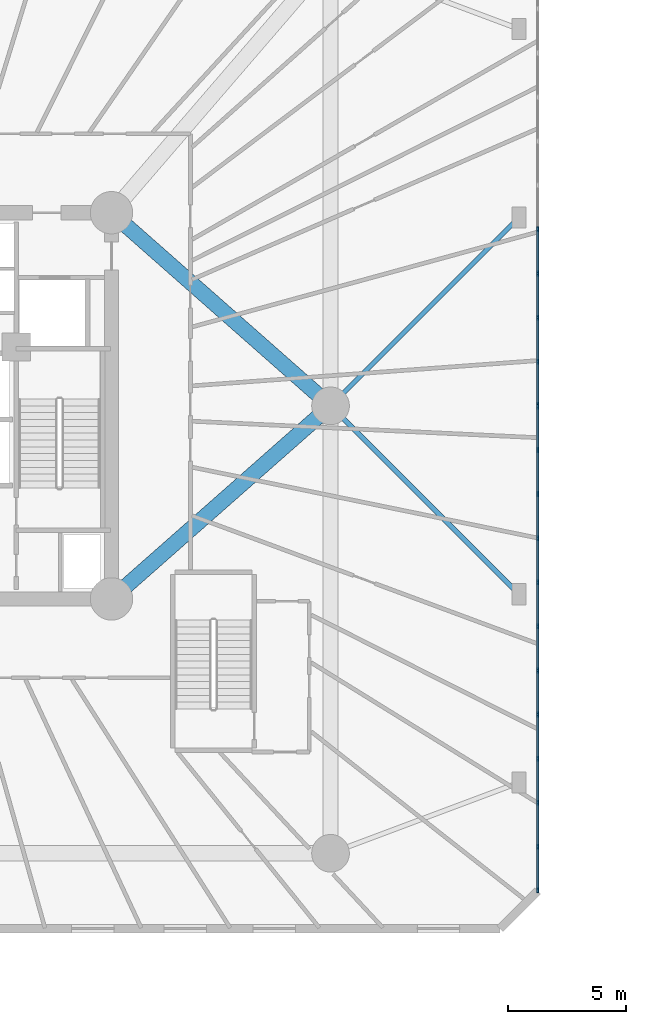
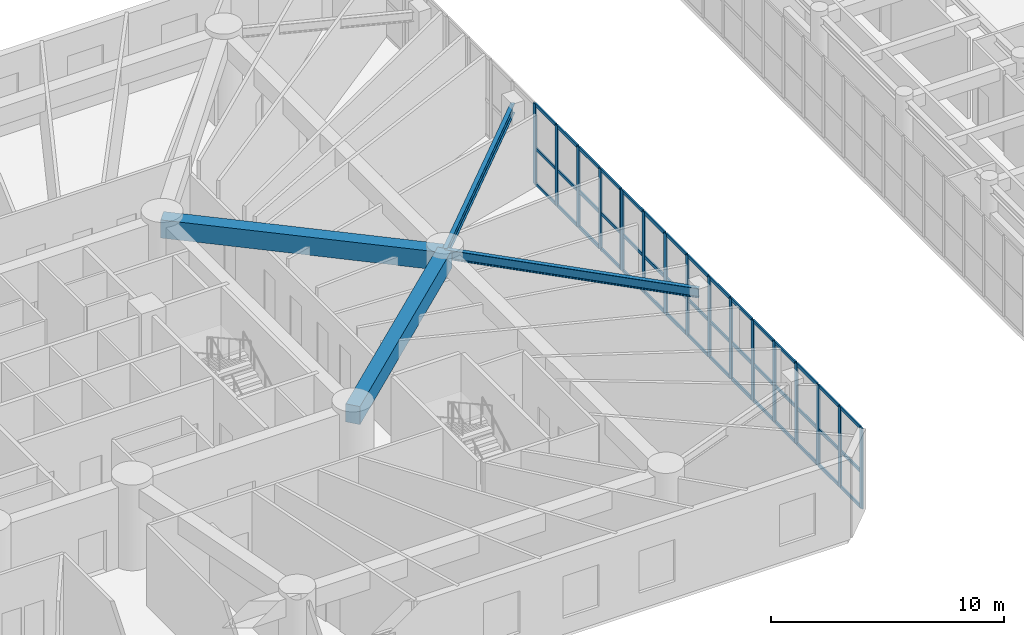
# One storey, part 2 of 24: 62 members, 4 beams, 2 elements without a shape of their own.
"""IFC4 building model written with IfcOpenShell, lengths in metres."""

from ifc_helpers import new_model, si_unit, direction, frame, origin, origin_with_axes, origin_2d, place, context, subcontext, project, spatial, rectangle, i_section, extrude, source, transform, mapped, material, layer, layer_set, material_profile, profile_set, type_object, element, aggregate, save


model = new_model("IFC4")

# Units and contexts
model_context = context("Model", 3, precision=1e-05, world=origin(), true_north=direction((0.0, 1.0)))
body_context = subcontext(model_context, "Body", "Model", "MODEL_VIEW")
ifc_project = project(units=[si_unit("LENGTHUNIT", "METRE"), si_unit("AREAUNIT", "SQUARE_METRE"), si_unit("VOLUMEUNIT", "CUBIC_METRE"), si_unit("PLANEANGLEUNIT", "RADIAN"), si_unit("MASSUNIT", "GRAM", prefix="KILO")], contexts=[model_context])

# Site, building, storey
site_placement = place(None, origin())
site = spatial("IfcSite", under=ifc_project, at=site_placement, CompositionType="ELEMENT")
building_placement = place(site_placement, origin())
building = spatial("IfcBuilding", under=site, at=building_placement, Name="Karkom Vertical University and Central Library", CompositionType="ELEMENT")
storey_placement = place(building_placement, frame((0.0, 0.0, 13.5)))
storey = spatial("IfcBuildingStorey", under=building, at=storey_placement, Name="L03", CompositionType="ELEMENT", Elevation=13.5)

# Beams
ifc_material_1 = material(Name="Concrete C50/60", Category="concrete")
ifc_material_profile_1 = material_profile(ifc_material_1, rectangle(XDim=0.64990234375, YDim=0.949951171875, at=origin_2d()), Name="RCG-650x950")
ifc_profile_set_1 = profile_set([ifc_material_profile_1], Name="Concrete C50/60")
beam_type_1 = type_object("IfcBeamType", Name="STR-BM-BG-1", PredefinedType="USERDEFINED", material=ifc_profile_set_1)
shared_shape_1 = source(origin_with_axes(), body_context, "Body", "SweptSolid", [
    extrude(rectangle(XDim=0.64990234375, YDim=0.949951171875, at=origin_2d()), origin(), (0.0, 0.0, 1.0), 12.398681640625),
])
for number, where, z_axis, x_axis, name in (
    (1, (46.800048828125, 26.5, 3.75), (-0.75007685274, -0.661350674743, 0.0), (0.661350674743, -0.75007685274, 0.0), "Level 03 Podium Primary Girder 17"),
    (2, (46.800048828125, 26.5, 3.75), (-0.75007685274, 0.661350674743, 0.0), (-0.661350674743, -0.75007685274, 0.0), "Level 03 Podium Primary Girder 18"),
):
    element("IfcBeam", number, at=place(storey_placement, frame(where, z_axis=z_axis, x_axis=x_axis)), inside=storey, type_object=beam_type_1, Name=name, ObjectType="GIRDER", PredefinedType="USERDEFINED", context=body_context, shape_type="MappedRepresentation", body=[
        mapped(shared_shape_1, transform((0.0, 0.0, 0.0), scale=1.0)),
    ])
ifc_material_2 = material(Name="Steel S355", Category="steel")
ifc_material_profile_2 = material_profile(ifc_material_2, i_section(OverallWidth=0.199951171875, OverallDepth=0.5, WebThickness=0.01025390625, FlangeThickness=0.01611328125, FilletRadius=0.02099609375, at=origin_2d()), Name="IPE 500")
ifc_profile_set_2 = profile_set([ifc_material_profile_2], Name="Steel S355")
beam_type_2 = type_object("IfcBeamType", Name="STR-BM-SB-IPE500", PredefinedType="BEAM", material=ifc_profile_set_2)
shared_shape_2 = source(origin_with_axes(), body_context, "Body", "SweptSolid", [
    extrude(i_section(OverallWidth=0.199951171875, OverallDepth=0.5, WebThickness=0.01025390625, FlangeThickness=0.01611328125, FilletRadius=0.02099609375, at=origin_2d()), origin(), (0.0, 0.0, 1.0), 11.313720703125),
])
for number, where, z_axis, x_axis, name in (
    (3, (46.800048828125, 26.5, 3.97509765625), (0.707106781187, -0.707106781187, 0.0), (0.707106781187, 0.707106781187, 0.0), "Level 03 Arcade Tie Beam 2"),
    (4, (46.800048828125, 26.5, 3.97509765625), (0.707106781187, 0.707106781187, 0.0), (-0.707106781187, 0.707106781187, 0.0), "Level 03 Arcade Tie Beam 3"),
):
    element("IfcBeam", number, at=place(storey_placement, frame(where, z_axis=z_axis, x_axis=x_axis)), inside=storey, type_object=beam_type_2, Name=name, PredefinedType="BEAM", context=body_context, shape_type="MappedRepresentation", body=[
        mapped(shared_shape_2, transform((0.0, 0.0, 0.0), scale=1.0)),
    ])

# Curtain wall, members
ifc_material_3 = material(Name="Aluminium curtain-wall framing and low-E IGU", Category="aluminium")
ifc_layer = layer(ifc_material_3, 0.199951171875)
ifc_layer_set = layer_set([ifc_layer], Name="Aluminium curtain-wall framing and low-E IGU")
curtain_wall_type = type_object("IfcCurtainWallType", Name="ENV-CW-3", PredefinedType="USERDEFINED", material=ifc_layer_set)
curtain_wall_1_placement = place(storey_placement, origin())
curtain_wall_1 = element("IfcCurtainWall", 5, at=curtain_wall_1_placement, inside=storey, type_object=curtain_wall_type, Name="Level 03 CW-3 Curtain Wall Level 03-CW3-3-1", ObjectType="STICK MULLION GLAZING", PredefinedType="USERDEFINED")
ifc_material_4 = material(Name="Anodised Aluminium 6063-T6", Category="aluminium")
ifc_material_profile_3 = material_profile(ifc_material_4, rectangle(XDim=0.074951171875, YDim=0.219970703125, at=origin_2d()), Name="ALU-M75x220")
ifc_profile_set_3 = profile_set([ifc_material_profile_3], Name="Anodised Aluminium 6063-T6")
member_type_1 = type_object("IfcMemberType", Name="ENV-MEM-ALU-M75x220", PredefinedType="MULLION", material=ifc_profile_set_3)
shared_shape_3 = source(origin_with_axes(), body_context, "Body", "SweptSolid", [
    extrude(rectangle(XDim=0.074951171875, YDim=0.219970703125, at=origin_2d()), origin(), (0.0, 0.0, 1.0), 4.22509765625),
])
member_1_placement = place(storey_placement, frame((55.60009765625, 5.9375, 0.0), z_axis=(0.0, 0.0, 1.0), x_axis=(-1.0, 0.0, 0.0)))
member_1 = element("IfcMember", 6, at=member_1_placement, type_object=member_type_1, Name="CW-3 mullion 1", PredefinedType="MULLION", context=body_context, shape_type="MappedRepresentation", body=[
    mapped(shared_shape_3, transform((0.0, 0.0, 0.0), scale=1.0)),
])
member_2_placement = place(storey_placement, frame((55.60009765625, 7.772705078125, 0.0), z_axis=(0.0, 0.0, 1.0), x_axis=(-1.0, 0.0, 0.0)))
member_2 = element("IfcMember", 7, at=member_2_placement, type_object=member_type_1, Name="CW-3 mullion 2", PredefinedType="MULLION", context=body_context, shape_type="MappedRepresentation", body=[
    mapped(shared_shape_3, transform((0.0, 0.0, 0.0), scale=1.0)),
])
member_3_placement = place(storey_placement, frame((55.60009765625, 9.6455078125, 0.0), z_axis=(0.0, 0.0, 1.0), x_axis=(-1.0, 0.0, 0.0)))
member_3 = element("IfcMember", 8, at=member_3_placement, type_object=member_type_1, Name="CW-3 mullion 3", PredefinedType="MULLION", context=body_context, shape_type="MappedRepresentation", body=[
    mapped(shared_shape_3, transform((0.0, 0.0, 0.0), scale=1.0)),
])
member_4_placement = place(storey_placement, frame((55.60009765625, 11.51806640625, 0.0), z_axis=(0.0, 0.0, 1.0), x_axis=(-1.0, 0.0, 0.0)))
member_4 = element("IfcMember", 9, at=member_4_placement, type_object=member_type_1, Name="CW-3 mullion 4", PredefinedType="MULLION", context=body_context, shape_type="MappedRepresentation", body=[
    mapped(shared_shape_3, transform((0.0, 0.0, 0.0), scale=1.0)),
])
member_5_placement = place(storey_placement, frame((55.60009765625, 13.390869140625, 0.0), z_axis=(0.0, 0.0, 1.0), x_axis=(-1.0, 0.0, 0.0)))
member_5 = element("IfcMember", 10, at=member_5_placement, type_object=member_type_1, Name="CW-3 mullion 5", PredefinedType="MULLION", context=body_context, shape_type="MappedRepresentation", body=[
    mapped(shared_shape_3, transform((0.0, 0.0, 0.0), scale=1.0)),
])
member_6_placement = place(storey_placement, frame((55.60009765625, 15.263671875, 0.0), z_axis=(0.0, 0.0, 1.0), x_axis=(-1.0, 0.0, 0.0)))
member_6 = element("IfcMember", 11, at=member_6_placement, type_object=member_type_1, Name="CW-3 mullion 6", PredefinedType="MULLION", context=body_context, shape_type="MappedRepresentation", body=[
    mapped(shared_shape_3, transform((0.0, 0.0, 0.0), scale=1.0)),
])
member_7_placement = place(storey_placement, frame((55.60009765625, 17.136474609375, 0.0), z_axis=(0.0, 0.0, 1.0), x_axis=(-1.0, 0.0, 0.0)))
member_7 = element("IfcMember", 12, at=member_7_placement, type_object=member_type_1, Name="CW-3 mullion 7", PredefinedType="MULLION", context=body_context, shape_type="MappedRepresentation", body=[
    mapped(shared_shape_3, transform((0.0, 0.0, 0.0), scale=1.0)),
])
member_8_placement = place(storey_placement, frame((55.60009765625, 19.009033203125, 0.0), z_axis=(0.0, 0.0, 1.0), x_axis=(-1.0, 0.0, 0.0)))
member_8 = element("IfcMember", 13, at=member_8_placement, type_object=member_type_1, Name="CW-3 mullion 8", PredefinedType="MULLION", context=body_context, shape_type="MappedRepresentation", body=[
    mapped(shared_shape_3, transform((0.0, 0.0, 0.0), scale=1.0)),
])
member_9_placement = place(storey_placement, frame((55.60009765625, 20.8818359375, 0.0), z_axis=(0.0, 0.0, 1.0), x_axis=(-1.0, 0.0, 0.0)))
member_9 = element("IfcMember", 14, at=member_9_placement, type_object=member_type_1, Name="CW-3 mullion 9", PredefinedType="MULLION", context=body_context, shape_type="MappedRepresentation", body=[
    mapped(shared_shape_3, transform((0.0, 0.0, 0.0), scale=1.0)),
])
member_10_placement = place(storey_placement, frame((55.60009765625, 22.754638671875, 0.0), z_axis=(0.0, 0.0, 1.0), x_axis=(-1.0, 0.0, 0.0)))
member_10 = element("IfcMember", 15, at=member_10_placement, type_object=member_type_1, Name="CW-3 mullion 10", PredefinedType="MULLION", context=body_context, shape_type="MappedRepresentation", body=[
    mapped(shared_shape_3, transform((0.0, 0.0, 0.0), scale=1.0)),
])
member_11_placement = place(storey_placement, frame((55.60009765625, 24.627197265625, 0.0), z_axis=(0.0, 0.0, 1.0), x_axis=(-1.0, 0.0, 0.0)))
member_11 = element("IfcMember", 16, at=member_11_placement, type_object=member_type_1, Name="CW-3 mullion 11", PredefinedType="MULLION", context=body_context, shape_type="MappedRepresentation", body=[
    mapped(shared_shape_3, transform((0.0, 0.0, 0.0), scale=1.0)),
])
member_12_placement = place(storey_placement, frame((55.60009765625, 26.46240234375, 0.0), z_axis=(0.0, 0.0, 1.0), x_axis=(-1.0, 0.0, 0.0)))
member_12 = element("IfcMember", 17, at=member_12_placement, type_object=member_type_1, Name="CW-3 mullion 12", PredefinedType="MULLION", context=body_context, shape_type="MappedRepresentation", body=[
    mapped(shared_shape_3, transform((0.0, 0.0, 0.0), scale=1.0)),
])

curtain_wall_2_placement = place(storey_placement, origin())
curtain_wall_2 = element("IfcCurtainWall", 18, at=curtain_wall_2_placement, inside=storey, type_object=curtain_wall_type, Name="Level 03 CW-3 Curtain Wall Level 03-CW3-3-2", ObjectType="STICK MULLION GLAZING", PredefinedType="USERDEFINED")
member_13_placement = place(storey_placement, frame((55.60009765625, 26.53759765625, 0.0), z_axis=(0.0, 0.0, 1.0), x_axis=(-1.0, 0.0, 0.0)))
member_13 = element("IfcMember", 19, at=member_13_placement, type_object=member_type_1, Name="CW-3 mullion 1", PredefinedType="MULLION", context=body_context, shape_type="MappedRepresentation", body=[
    mapped(shared_shape_3, transform((0.0, 0.0, 0.0), scale=1.0)),
])
member_14_placement = place(storey_placement, frame((55.60009765625, 28.372802734375, 0.0), z_axis=(0.0, 0.0, 1.0), x_axis=(-1.0, 0.0, 0.0)))
member_14 = element("IfcMember", 20, at=member_14_placement, type_object=member_type_1, Name="CW-3 mullion 2", PredefinedType="MULLION", context=body_context, shape_type="MappedRepresentation", body=[
    mapped(shared_shape_3, transform((0.0, 0.0, 0.0), scale=1.0)),
])
member_15_placement = place(storey_placement, frame((55.60009765625, 30.245361328125, 0.0), z_axis=(0.0, 0.0, 1.0), x_axis=(-1.0, 0.0, 0.0)))
member_15 = element("IfcMember", 21, at=member_15_placement, type_object=member_type_1, Name="CW-3 mullion 3", PredefinedType="MULLION", context=body_context, shape_type="MappedRepresentation", body=[
    mapped(shared_shape_3, transform((0.0, 0.0, 0.0), scale=1.0)),
])
member_16_placement = place(storey_placement, frame((55.60009765625, 32.1181640625, 0.0), z_axis=(0.0, 0.0, 1.0), x_axis=(-1.0, 0.0, 0.0)))
member_16 = element("IfcMember", 22, at=member_16_placement, type_object=member_type_1, Name="CW-3 mullion 4", PredefinedType="MULLION", context=body_context, shape_type="MappedRepresentation", body=[
    mapped(shared_shape_3, transform((0.0, 0.0, 0.0), scale=1.0)),
])
member_17_placement = place(storey_placement, frame((55.60009765625, 33.990966796875, 0.0), z_axis=(0.0, 0.0, 1.0), x_axis=(-1.0, 0.0, 0.0)))
member_17 = element("IfcMember", 23, at=member_17_placement, type_object=member_type_1, Name="CW-3 mullion 5", PredefinedType="MULLION", context=body_context, shape_type="MappedRepresentation", body=[
    mapped(shared_shape_3, transform((0.0, 0.0, 0.0), scale=1.0)),
])

# Member
ifc_material_profile_4 = material_profile(ifc_material_4, rectangle(XDim=0.074951171875, YDim=0.1650390625, at=origin_2d()), Name="ALU-T75x165")
ifc_profile_set_4 = profile_set([ifc_material_profile_4], Name="Anodised Aluminium 6063-T6")
member_type_2 = type_object("IfcMemberType", Name="ENV-MEM-ALU-T75x165", PredefinedType="USERDEFINED", material=ifc_profile_set_4)
shared_shape_4 = source(origin_with_axes(), body_context, "Body", "SweptSolid", [
    extrude(rectangle(XDim=0.074951171875, YDim=0.1650390625, at=origin_2d()), origin(), (0.0, 0.0, 1.0), 1.760009765625),
])
member_18_placement = place(storey_placement, frame((55.60009765625, 5.97509765625, 0.03759765625), z_axis=(0.0, 1.0, 0.0), x_axis=(-1.0, 0.0, 0.0)))
member_18 = element("IfcMember", 24, at=member_18_placement, type_object=member_type_2, Name="CW-3 transom 1.1", ObjectType="TRANSOM", PredefinedType="USERDEFINED", context=body_context, shape_type="MappedRepresentation", body=[
    mapped(shared_shape_4, transform((0.0, 0.0, 0.0), scale=1.0)),
])

member_19_placement = place(storey_placement, frame((55.60009765625, 5.97509765625, 1.901123046875), z_axis=(0.0, 1.0, 0.0), x_axis=(-1.0, 0.0, 0.0)))
member_19 = element("IfcMember", 25, at=member_19_placement, type_object=member_type_2, Name="CW-3 transom 1.2", ObjectType="TRANSOM", PredefinedType="USERDEFINED", context=body_context, shape_type="MappedRepresentation", body=[
    mapped(shared_shape_4, transform((0.0, 0.0, 0.0), scale=1.0)),
])

member_20_placement = place(storey_placement, frame((55.60009765625, 5.97509765625, 4.1875), z_axis=(0.0, 1.0, 0.0), x_axis=(-1.0, 0.0, 0.0)))
member_20 = element("IfcMember", 26, at=member_20_placement, type_object=member_type_2, Name="CW-3 transom 1.3", ObjectType="TRANSOM", PredefinedType="USERDEFINED", context=body_context, shape_type="MappedRepresentation", body=[
    mapped(shared_shape_4, transform((0.0, 0.0, 0.0), scale=1.0)),
])

shared_shape_5 = source(origin_with_axes(), body_context, "Body", "SweptSolid", [
    extrude(rectangle(XDim=0.074951171875, YDim=0.1650390625, at=origin_2d()), origin(), (0.0, 0.0, 1.0), 1.797607421875),
])
member_21_placement = place(storey_placement, frame((55.60009765625, 7.810302734375, 0.03759765625), z_axis=(0.0, 1.0, 0.0), x_axis=(-1.0, 0.0, 0.0)))
member_21 = element("IfcMember", 27, at=member_21_placement, type_object=member_type_2, Name="CW-3 transom 2.1", ObjectType="TRANSOM", PredefinedType="USERDEFINED", context=body_context, shape_type="MappedRepresentation", body=[
    mapped(shared_shape_5, transform((0.0, 0.0, 0.0), scale=1.0)),
])

member_22_placement = place(storey_placement, frame((55.60009765625, 7.810302734375, 1.901123046875), z_axis=(0.0, 1.0, 0.0), x_axis=(-1.0, 0.0, 0.0)))
member_22 = element("IfcMember", 28, at=member_22_placement, type_object=member_type_2, Name="CW-3 transom 2.2", ObjectType="TRANSOM", PredefinedType="USERDEFINED", context=body_context, shape_type="MappedRepresentation", body=[
    mapped(shared_shape_5, transform((0.0, 0.0, 0.0), scale=1.0)),
])

member_23_placement = place(storey_placement, frame((55.60009765625, 7.810302734375, 4.1875), z_axis=(0.0, 1.0, 0.0), x_axis=(-1.0, 0.0, 0.0)))
member_23 = element("IfcMember", 29, at=member_23_placement, type_object=member_type_2, Name="CW-3 transom 2.3", ObjectType="TRANSOM", PredefinedType="USERDEFINED", context=body_context, shape_type="MappedRepresentation", body=[
    mapped(shared_shape_5, transform((0.0, 0.0, 0.0), scale=1.0)),
])

member_24_placement = place(storey_placement, frame((55.60009765625, 13.428466796875, 0.03759765625), z_axis=(0.0, 1.0, 0.0), x_axis=(-1.0, 0.0, 0.0)))
member_24 = element("IfcMember", 30, at=member_24_placement, type_object=member_type_2, Name="CW-3 transom 5.1", ObjectType="TRANSOM", PredefinedType="USERDEFINED", context=body_context, shape_type="MappedRepresentation", body=[
    mapped(shared_shape_5, transform((0.0, 0.0, 0.0), scale=1.0)),
])

member_25_placement = place(storey_placement, frame((55.60009765625, 13.428466796875, 1.901123046875), z_axis=(0.0, 1.0, 0.0), x_axis=(-1.0, 0.0, 0.0)))
member_25 = element("IfcMember", 31, at=member_25_placement, type_object=member_type_2, Name="CW-3 transom 5.2", ObjectType="TRANSOM", PredefinedType="USERDEFINED", context=body_context, shape_type="MappedRepresentation", body=[
    mapped(shared_shape_5, transform((0.0, 0.0, 0.0), scale=1.0)),
])

member_26_placement = place(storey_placement, frame((55.60009765625, 13.428466796875, 4.1875), z_axis=(0.0, 1.0, 0.0), x_axis=(-1.0, 0.0, 0.0)))
member_26 = element("IfcMember", 32, at=member_26_placement, type_object=member_type_2, Name="CW-3 transom 5.3", ObjectType="TRANSOM", PredefinedType="USERDEFINED", context=body_context, shape_type="MappedRepresentation", body=[
    mapped(shared_shape_5, transform((0.0, 0.0, 0.0), scale=1.0)),
])

member_27_placement = place(storey_placement, frame((55.60009765625, 19.046630859375, 0.03759765625), z_axis=(0.0, 1.0, 0.0), x_axis=(-1.0, 0.0, 0.0)))
member_27 = element("IfcMember", 33, at=member_27_placement, type_object=member_type_2, Name="CW-3 transom 8.1", ObjectType="TRANSOM", PredefinedType="USERDEFINED", context=body_context, shape_type="MappedRepresentation", body=[
    mapped(shared_shape_5, transform((0.0, 0.0, 0.0), scale=1.0)),
])

member_28_placement = place(storey_placement, frame((55.60009765625, 19.046630859375, 1.901123046875), z_axis=(0.0, 1.0, 0.0), x_axis=(-1.0, 0.0, 0.0)))
member_28 = element("IfcMember", 34, at=member_28_placement, type_object=member_type_2, Name="CW-3 transom 8.2", ObjectType="TRANSOM", PredefinedType="USERDEFINED", context=body_context, shape_type="MappedRepresentation", body=[
    mapped(shared_shape_5, transform((0.0, 0.0, 0.0), scale=1.0)),
])

member_29_placement = place(storey_placement, frame((55.60009765625, 19.046630859375, 4.1875), z_axis=(0.0, 1.0, 0.0), x_axis=(-1.0, 0.0, 0.0)))
member_29 = element("IfcMember", 35, at=member_29_placement, type_object=member_type_2, Name="CW-3 transom 8.3", ObjectType="TRANSOM", PredefinedType="USERDEFINED", context=body_context, shape_type="MappedRepresentation", body=[
    mapped(shared_shape_5, transform((0.0, 0.0, 0.0), scale=1.0)),
])

member_30_placement = place(storey_placement, frame((55.60009765625, 20.91943359375, 0.03759765625), z_axis=(0.0, 1.0, 0.0), x_axis=(-1.0, 0.0, 0.0)))
member_30 = element("IfcMember", 36, at=member_30_placement, type_object=member_type_2, Name="CW-3 transom 9.1", ObjectType="TRANSOM", PredefinedType="USERDEFINED", context=body_context, shape_type="MappedRepresentation", body=[
    mapped(shared_shape_5, transform((0.0, 0.0, 0.0), scale=1.0)),
])

member_31_placement = place(storey_placement, frame((55.60009765625, 20.91943359375, 1.901123046875), z_axis=(0.0, 1.0, 0.0), x_axis=(-1.0, 0.0, 0.0)))
member_31 = element("IfcMember", 37, at=member_31_placement, type_object=member_type_2, Name="CW-3 transom 9.2", ObjectType="TRANSOM", PredefinedType="USERDEFINED", context=body_context, shape_type="MappedRepresentation", body=[
    mapped(shared_shape_5, transform((0.0, 0.0, 0.0), scale=1.0)),
])

member_32_placement = place(storey_placement, frame((55.60009765625, 20.91943359375, 4.1875), z_axis=(0.0, 1.0, 0.0), x_axis=(-1.0, 0.0, 0.0)))
member_32 = element("IfcMember", 38, at=member_32_placement, type_object=member_type_2, Name="CW-3 transom 9.3", ObjectType="TRANSOM", PredefinedType="USERDEFINED", context=body_context, shape_type="MappedRepresentation", body=[
    mapped(shared_shape_5, transform((0.0, 0.0, 0.0), scale=1.0)),
])

member_33_placement = place(storey_placement, frame((55.60009765625, 30.282958984375, 0.03759765625), z_axis=(0.0, 1.0, 0.0), x_axis=(-1.0, 0.0, 0.0)))
member_33 = element("IfcMember", 39, at=member_33_placement, type_object=member_type_2, Name="CW-3 transom 3.1", ObjectType="TRANSOM", PredefinedType="USERDEFINED", context=body_context, shape_type="MappedRepresentation", body=[
    mapped(shared_shape_5, transform((0.0, 0.0, 0.0), scale=1.0)),
])

member_34_placement = place(storey_placement, frame((55.60009765625, 30.282958984375, 1.901123046875), z_axis=(0.0, 1.0, 0.0), x_axis=(-1.0, 0.0, 0.0)))
member_34 = element("IfcMember", 40, at=member_34_placement, type_object=member_type_2, Name="CW-3 transom 3.2", ObjectType="TRANSOM", PredefinedType="USERDEFINED", context=body_context, shape_type="MappedRepresentation", body=[
    mapped(shared_shape_5, transform((0.0, 0.0, 0.0), scale=1.0)),
])

member_35_placement = place(storey_placement, frame((55.60009765625, 30.282958984375, 4.1875), z_axis=(0.0, 1.0, 0.0), x_axis=(-1.0, 0.0, 0.0)))
member_35 = element("IfcMember", 41, at=member_35_placement, type_object=member_type_2, Name="CW-3 transom 3.3", ObjectType="TRANSOM", PredefinedType="USERDEFINED", context=body_context, shape_type="MappedRepresentation", body=[
    mapped(shared_shape_5, transform((0.0, 0.0, 0.0), scale=1.0)),
])

member_36_placement = place(storey_placement, frame((55.60009765625, 32.15576171875, 0.03759765625), z_axis=(0.0, 1.0, 0.0), x_axis=(-1.0, 0.0, 0.0)))
member_36 = element("IfcMember", 42, at=member_36_placement, type_object=member_type_2, Name="CW-3 transom 4.1", ObjectType="TRANSOM", PredefinedType="USERDEFINED", context=body_context, shape_type="MappedRepresentation", body=[
    mapped(shared_shape_5, transform((0.0, 0.0, 0.0), scale=1.0)),
])

member_37_placement = place(storey_placement, frame((55.60009765625, 32.15576171875, 1.901123046875), z_axis=(0.0, 1.0, 0.0), x_axis=(-1.0, 0.0, 0.0)))
member_37 = element("IfcMember", 43, at=member_37_placement, type_object=member_type_2, Name="CW-3 transom 4.2", ObjectType="TRANSOM", PredefinedType="USERDEFINED", context=body_context, shape_type="MappedRepresentation", body=[
    mapped(shared_shape_5, transform((0.0, 0.0, 0.0), scale=1.0)),
])

member_38_placement = place(storey_placement, frame((55.60009765625, 32.15576171875, 4.1875), z_axis=(0.0, 1.0, 0.0), x_axis=(-1.0, 0.0, 0.0)))
member_38 = element("IfcMember", 44, at=member_38_placement, type_object=member_type_2, Name="CW-3 transom 4.3", ObjectType="TRANSOM", PredefinedType="USERDEFINED", context=body_context, shape_type="MappedRepresentation", body=[
    mapped(shared_shape_5, transform((0.0, 0.0, 0.0), scale=1.0)),
])

shared_shape_6 = source(origin_with_axes(), body_context, "Body", "SweptSolid", [
    extrude(rectangle(XDim=0.074951171875, YDim=0.1650390625, at=origin_2d()), origin(), (0.0, 0.0, 1.0), 1.7978515625),
])
member_39_placement = place(storey_placement, frame((55.60009765625, 9.682861328125, 0.03759765625), z_axis=(0.0, 1.0, 0.0), x_axis=(-1.0, 0.0, 0.0)))
member_39 = element("IfcMember", 45, at=member_39_placement, type_object=member_type_2, Name="CW-3 transom 3.1", ObjectType="TRANSOM", PredefinedType="USERDEFINED", context=body_context, shape_type="MappedRepresentation", body=[
    mapped(shared_shape_6, transform((0.0, 0.0, 0.0), scale=1.0)),
])

member_40_placement = place(storey_placement, frame((55.60009765625, 9.682861328125, 1.901123046875), z_axis=(0.0, 1.0, 0.0), x_axis=(-1.0, 0.0, 0.0)))
member_40 = element("IfcMember", 46, at=member_40_placement, type_object=member_type_2, Name="CW-3 transom 3.2", ObjectType="TRANSOM", PredefinedType="USERDEFINED", context=body_context, shape_type="MappedRepresentation", body=[
    mapped(shared_shape_6, transform((0.0, 0.0, 0.0), scale=1.0)),
])

member_41_placement = place(storey_placement, frame((55.60009765625, 9.682861328125, 4.1875), z_axis=(0.0, 1.0, 0.0), x_axis=(-1.0, 0.0, 0.0)))
member_41 = element("IfcMember", 47, at=member_41_placement, type_object=member_type_2, Name="CW-3 transom 3.3", ObjectType="TRANSOM", PredefinedType="USERDEFINED", context=body_context, shape_type="MappedRepresentation", body=[
    mapped(shared_shape_6, transform((0.0, 0.0, 0.0), scale=1.0)),
])

member_42_placement = place(storey_placement, frame((55.60009765625, 11.5556640625, 0.03759765625), z_axis=(0.0, 1.0, 0.0), x_axis=(-1.0, 0.0, 0.0)))
member_42 = element("IfcMember", 48, at=member_42_placement, type_object=member_type_2, Name="CW-3 transom 4.1", ObjectType="TRANSOM", PredefinedType="USERDEFINED", context=body_context, shape_type="MappedRepresentation", body=[
    mapped(shared_shape_6, transform((0.0, 0.0, 0.0), scale=1.0)),
])

member_43_placement = place(storey_placement, frame((55.60009765625, 11.5556640625, 1.901123046875), z_axis=(0.0, 1.0, 0.0), x_axis=(-1.0, 0.0, 0.0)))
member_43 = element("IfcMember", 49, at=member_43_placement, type_object=member_type_2, Name="CW-3 transom 4.2", ObjectType="TRANSOM", PredefinedType="USERDEFINED", context=body_context, shape_type="MappedRepresentation", body=[
    mapped(shared_shape_6, transform((0.0, 0.0, 0.0), scale=1.0)),
])

member_44_placement = place(storey_placement, frame((55.60009765625, 11.5556640625, 4.1875), z_axis=(0.0, 1.0, 0.0), x_axis=(-1.0, 0.0, 0.0)))
member_44 = element("IfcMember", 50, at=member_44_placement, type_object=member_type_2, Name="CW-3 transom 4.3", ObjectType="TRANSOM", PredefinedType="USERDEFINED", context=body_context, shape_type="MappedRepresentation", body=[
    mapped(shared_shape_6, transform((0.0, 0.0, 0.0), scale=1.0)),
])

member_45_placement = place(storey_placement, frame((55.60009765625, 15.301025390625, 0.03759765625), z_axis=(0.0, 1.0, 0.0), x_axis=(-1.0, 0.0, 0.0)))
member_45 = element("IfcMember", 51, at=member_45_placement, type_object=member_type_2, Name="CW-3 transom 6.1", ObjectType="TRANSOM", PredefinedType="USERDEFINED", context=body_context, shape_type="MappedRepresentation", body=[
    mapped(shared_shape_6, transform((0.0, 0.0, 0.0), scale=1.0)),
])

member_46_placement = place(storey_placement, frame((55.60009765625, 15.301025390625, 1.901123046875), z_axis=(0.0, 1.0, 0.0), x_axis=(-1.0, 0.0, 0.0)))
member_46 = element("IfcMember", 52, at=member_46_placement, type_object=member_type_2, Name="CW-3 transom 6.2", ObjectType="TRANSOM", PredefinedType="USERDEFINED", context=body_context, shape_type="MappedRepresentation", body=[
    mapped(shared_shape_6, transform((0.0, 0.0, 0.0), scale=1.0)),
])

member_47_placement = place(storey_placement, frame((55.60009765625, 15.301025390625, 4.1875), z_axis=(0.0, 1.0, 0.0), x_axis=(-1.0, 0.0, 0.0)))
member_47 = element("IfcMember", 53, at=member_47_placement, type_object=member_type_2, Name="CW-3 transom 6.3", ObjectType="TRANSOM", PredefinedType="USERDEFINED", context=body_context, shape_type="MappedRepresentation", body=[
    mapped(shared_shape_6, transform((0.0, 0.0, 0.0), scale=1.0)),
])

member_48_placement = place(storey_placement, frame((55.60009765625, 17.173828125, 0.03759765625), z_axis=(0.0, 1.0, 0.0), x_axis=(-1.0, 0.0, 0.0)))
member_48 = element("IfcMember", 54, at=member_48_placement, type_object=member_type_2, Name="CW-3 transom 7.1", ObjectType="TRANSOM", PredefinedType="USERDEFINED", context=body_context, shape_type="MappedRepresentation", body=[
    mapped(shared_shape_6, transform((0.0, 0.0, 0.0), scale=1.0)),
])

member_49_placement = place(storey_placement, frame((55.60009765625, 17.173828125, 1.901123046875), z_axis=(0.0, 1.0, 0.0), x_axis=(-1.0, 0.0, 0.0)))
member_49 = element("IfcMember", 55, at=member_49_placement, type_object=member_type_2, Name="CW-3 transom 7.2", ObjectType="TRANSOM", PredefinedType="USERDEFINED", context=body_context, shape_type="MappedRepresentation", body=[
    mapped(shared_shape_6, transform((0.0, 0.0, 0.0), scale=1.0)),
])

member_50_placement = place(storey_placement, frame((55.60009765625, 17.173828125, 4.1875), z_axis=(0.0, 1.0, 0.0), x_axis=(-1.0, 0.0, 0.0)))
member_50 = element("IfcMember", 56, at=member_50_placement, type_object=member_type_2, Name="CW-3 transom 7.3", ObjectType="TRANSOM", PredefinedType="USERDEFINED", context=body_context, shape_type="MappedRepresentation", body=[
    mapped(shared_shape_6, transform((0.0, 0.0, 0.0), scale=1.0)),
])

member_51_placement = place(storey_placement, frame((55.60009765625, 22.7919921875, 0.03759765625), z_axis=(0.0, 1.0, 0.0), x_axis=(-1.0, 0.0, 0.0)))
member_51 = element("IfcMember", 57, at=member_51_placement, type_object=member_type_2, Name="CW-3 transom 10.1", ObjectType="TRANSOM", PredefinedType="USERDEFINED", context=body_context, shape_type="MappedRepresentation", body=[
    mapped(shared_shape_6, transform((0.0, 0.0, 0.0), scale=1.0)),
])

member_52_placement = place(storey_placement, frame((55.60009765625, 22.7919921875, 1.901123046875), z_axis=(0.0, 1.0, 0.0), x_axis=(-1.0, 0.0, 0.0)))
member_52 = element("IfcMember", 58, at=member_52_placement, type_object=member_type_2, Name="CW-3 transom 10.2", ObjectType="TRANSOM", PredefinedType="USERDEFINED", context=body_context, shape_type="MappedRepresentation", body=[
    mapped(shared_shape_6, transform((0.0, 0.0, 0.0), scale=1.0)),
])

member_53_placement = place(storey_placement, frame((55.60009765625, 22.7919921875, 4.1875), z_axis=(0.0, 1.0, 0.0), x_axis=(-1.0, 0.0, 0.0)))
member_53 = element("IfcMember", 59, at=member_53_placement, type_object=member_type_2, Name="CW-3 transom 10.3", ObjectType="TRANSOM", PredefinedType="USERDEFINED", context=body_context, shape_type="MappedRepresentation", body=[
    mapped(shared_shape_6, transform((0.0, 0.0, 0.0), scale=1.0)),
])

member_54_placement = place(storey_placement, frame((55.60009765625, 28.41015625, 0.03759765625), z_axis=(0.0, 1.0, 0.0), x_axis=(-1.0, 0.0, 0.0)))
member_54 = element("IfcMember", 60, at=member_54_placement, type_object=member_type_2, Name="CW-3 transom 2.1", ObjectType="TRANSOM", PredefinedType="USERDEFINED", context=body_context, shape_type="MappedRepresentation", body=[
    mapped(shared_shape_6, transform((0.0, 0.0, 0.0), scale=1.0)),
])

member_55_placement = place(storey_placement, frame((55.60009765625, 28.41015625, 1.901123046875), z_axis=(0.0, 1.0, 0.0), x_axis=(-1.0, 0.0, 0.0)))
member_55 = element("IfcMember", 61, at=member_55_placement, type_object=member_type_2, Name="CW-3 transom 2.2", ObjectType="TRANSOM", PredefinedType="USERDEFINED", context=body_context, shape_type="MappedRepresentation", body=[
    mapped(shared_shape_6, transform((0.0, 0.0, 0.0), scale=1.0)),
])

member_56_placement = place(storey_placement, frame((55.60009765625, 28.41015625, 4.1875), z_axis=(0.0, 1.0, 0.0), x_axis=(-1.0, 0.0, 0.0)))
member_56 = element("IfcMember", 62, at=member_56_placement, type_object=member_type_2, Name="CW-3 transom 2.3", ObjectType="TRANSOM", PredefinedType="USERDEFINED", context=body_context, shape_type="MappedRepresentation", body=[
    mapped(shared_shape_6, transform((0.0, 0.0, 0.0), scale=1.0)),
])

shared_shape_7 = source(origin_with_axes(), body_context, "Body", "SweptSolid", [
    extrude(rectangle(XDim=0.074951171875, YDim=0.1650390625, at=origin_2d()), origin(), (0.0, 0.0, 1.0), 1.76025390625),
])
member_57_placement = place(storey_placement, frame((55.60009765625, 24.664794921875, 0.03759765625), z_axis=(0.0, 1.0, 0.0), x_axis=(-1.0, 0.0, 0.0)))
member_57 = element("IfcMember", 63, at=member_57_placement, type_object=member_type_2, Name="CW-3 transom 11.1", ObjectType="TRANSOM", PredefinedType="USERDEFINED", context=body_context, shape_type="MappedRepresentation", body=[
    mapped(shared_shape_7, transform((0.0, 0.0, 0.0), scale=1.0)),
])

member_58_placement = place(storey_placement, frame((55.60009765625, 24.664794921875, 1.901123046875), z_axis=(0.0, 1.0, 0.0), x_axis=(-1.0, 0.0, 0.0)))
member_58 = element("IfcMember", 64, at=member_58_placement, type_object=member_type_2, Name="CW-3 transom 11.2", ObjectType="TRANSOM", PredefinedType="USERDEFINED", context=body_context, shape_type="MappedRepresentation", body=[
    mapped(shared_shape_7, transform((0.0, 0.0, 0.0), scale=1.0)),
])

member_59_placement = place(storey_placement, frame((55.60009765625, 24.664794921875, 4.1875), z_axis=(0.0, 1.0, 0.0), x_axis=(-1.0, 0.0, 0.0)))
member_59 = element("IfcMember", 65, at=member_59_placement, type_object=member_type_2, Name="CW-3 transom 11.3", ObjectType="TRANSOM", PredefinedType="USERDEFINED", context=body_context, shape_type="MappedRepresentation", body=[
    mapped(shared_shape_7, transform((0.0, 0.0, 0.0), scale=1.0)),
])

aggregate(curtain_wall_1, [member_1, member_2, member_3, member_4, member_5, member_6, member_7, member_8, member_9, member_10, member_11, member_12, member_18, member_19, member_20, member_21, member_22, member_23, member_39, member_40, member_41, member_42, member_43, member_44, member_24, member_25, member_26, member_45, member_46, member_47, member_48, member_49, member_50, member_27, member_28, member_29, member_30, member_31, member_32, member_51, member_52, member_53, member_57, member_58, member_59])

member_60_placement = place(storey_placement, frame((55.60009765625, 26.574951171875, 0.03759765625), z_axis=(0.0, 1.0, 0.0), x_axis=(-1.0, 0.0, 0.0)))
member_60 = element("IfcMember", 66, at=member_60_placement, type_object=member_type_2, Name="CW-3 transom 1.1", ObjectType="TRANSOM", PredefinedType="USERDEFINED", context=body_context, shape_type="MappedRepresentation", body=[
    mapped(shared_shape_7, transform((0.0, 0.0, 0.0), scale=1.0)),
])

member_61_placement = place(storey_placement, frame((55.60009765625, 26.574951171875, 1.901123046875), z_axis=(0.0, 1.0, 0.0), x_axis=(-1.0, 0.0, 0.0)))
member_61 = element("IfcMember", 67, at=member_61_placement, type_object=member_type_2, Name="CW-3 transom 1.2", ObjectType="TRANSOM", PredefinedType="USERDEFINED", context=body_context, shape_type="MappedRepresentation", body=[
    mapped(shared_shape_7, transform((0.0, 0.0, 0.0), scale=1.0)),
])

member_62_placement = place(storey_placement, frame((55.60009765625, 26.574951171875, 4.1875), z_axis=(0.0, 1.0, 0.0), x_axis=(-1.0, 0.0, 0.0)))
member_62 = element("IfcMember", 68, at=member_62_placement, type_object=member_type_2, Name="CW-3 transom 1.3", ObjectType="TRANSOM", PredefinedType="USERDEFINED", context=body_context, shape_type="MappedRepresentation", body=[
    mapped(shared_shape_7, transform((0.0, 0.0, 0.0), scale=1.0)),
])

aggregate(curtain_wall_2, [member_13, member_14, member_15, member_16, member_17, member_60, member_61, member_62, member_54, member_55, member_56, member_33, member_34, member_35, member_36, member_37, member_38])

save(model, "model.ifc")
